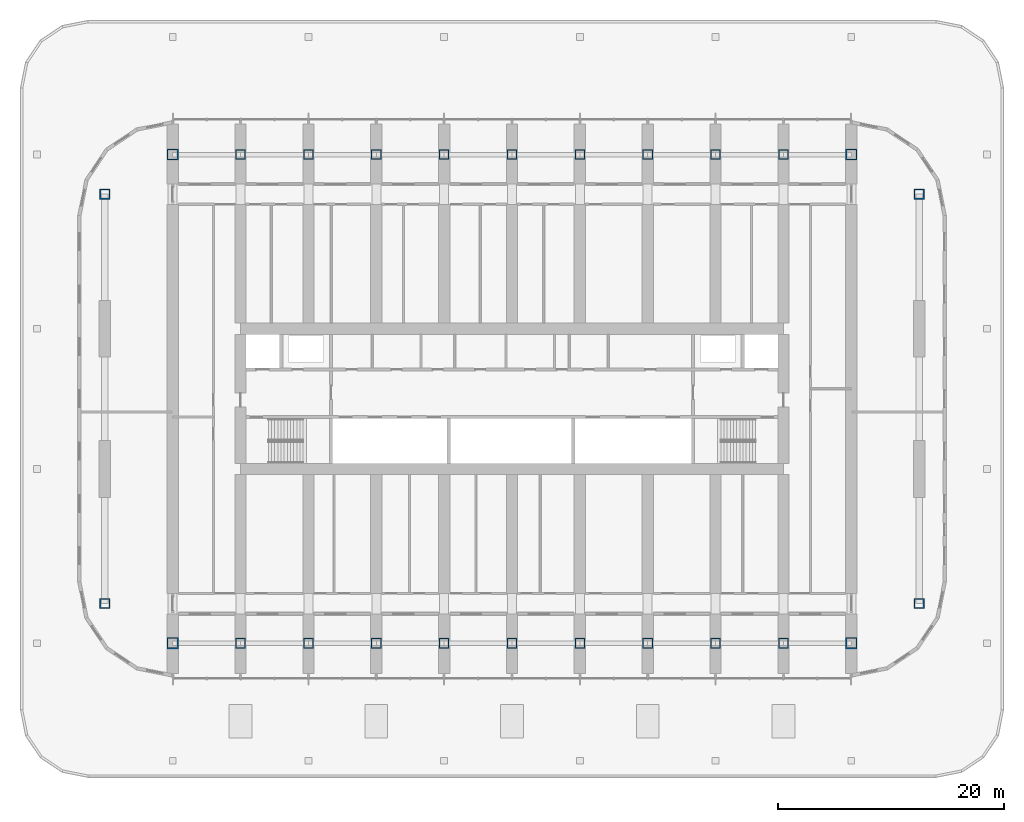
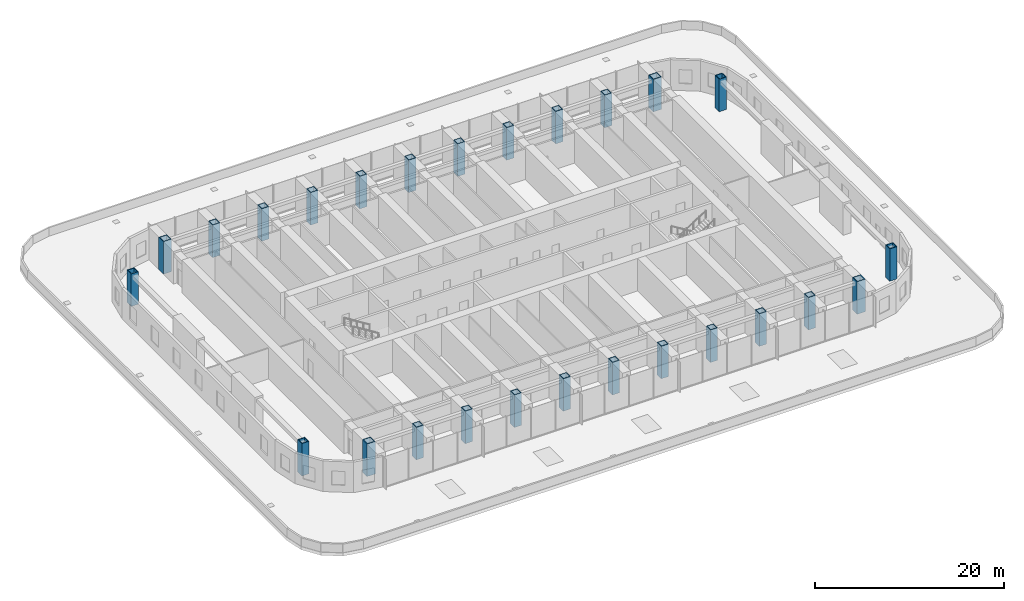
# One storey, part 1 of 23: 26 columns.
"""IFC4 building model written with IfcOpenShell, lengths in metres."""

from ifc_helpers import new_model, si_unit, direction, frame, origin, origin_2d, place, context, subcontext, project, spatial, hollow_rectangle, extrude, material, material_profile, profile_set, type_object, element, save


model = new_model("IFC4")

# Units and contexts
model_context = context("Model", 3, precision=1e-05, world=origin(), true_north=direction((0.0, 1.0)))
body_context = subcontext(model_context, "Body", "Model", "MODEL_VIEW")
ifc_project = project(units=[si_unit("LENGTHUNIT", "METRE"), si_unit("AREAUNIT", "SQUARE_METRE"), si_unit("VOLUMEUNIT", "CUBIC_METRE"), si_unit("PLANEANGLEUNIT", "RADIAN"), si_unit("MASSUNIT", "GRAM", prefix="KILO")], contexts=[model_context])

# Site, building, storey
site_placement = place(None, origin())
site = spatial("IfcSite", under=ifc_project, at=site_placement, CompositionType="ELEMENT")
building_placement = place(site_placement, origin())
building = spatial("IfcBuilding", under=site, at=building_placement, Name="Orbita Commons", CompositionType="ELEMENT")
storey_placement = place(building_placement, frame((0.0, 0.0, 16.0)))
storey = spatial("IfcBuildingStorey", under=building, at=storey_placement, Name="L03", CompositionType="ELEMENT", Elevation=16.0)

# Columns
ifc_material_1 = material(Name="Steel ASTM A572 Gr 50 welded plate", Category="steel")
ifc_material_profile_1 = material_profile(ifc_material_1, hollow_rectangle(XDim=1.0, YDim=1.0, WallThickness=0.10009765625, at=origin_2d()), Name="BOX 1000x1000x100")
ifc_profile_set_1 = profile_set([ifc_material_profile_1], Name="Steel ASTM A572 Gr 50 welded plate")
column_type_1 = type_object("IfcColumnType", Name="Steel column BOX 1000x1000x100", PredefinedType="COLUMN", material=ifc_profile_set_1)
for number, where, z_axis, x_axis, name in (
    (1, (12.0, 10.39990234375, 0.0), (0.0, 0.0, 1.0), (1.0, 0.0, 0.0), "Column 3/B L03"),
    (2, (12.0, 53.60009765625, 0.0), (0.0, 0.0, 1.0), (1.0, 0.0, 0.0), "Column 3/E L03"),
    (3, (72.0, 10.39990234375, 0.0), (0.0, 0.0, 1.0), (1.0, 0.0, 0.0), "Column 13/B L03"),
    (4, (72.0, 53.60009765625, 0.0), (0.0, 0.0, 1.0), (1.0, 0.0, 0.0), "Column 13/E L03"),
):
    element("IfcColumn", number, at=place(storey_placement, frame(where, z_axis=z_axis, x_axis=x_axis)), inside=storey, type_object=column_type_1, Name=name, PredefinedType="COLUMN", context=body_context, shape_type="SweptSolid", body=[
        extrude(hollow_rectangle(XDim=1.0, YDim=1.0, WallThickness=0.10009765625, at=origin_2d()), origin(), (0.0, 0.0, 1.0), 4.199951171875),
    ])
ifc_material_2 = material(Name="Steel ASTM A572 Gr 50 welded plate", Category="steel")
ifc_material_profile_2 = material_profile(ifc_material_2, hollow_rectangle(XDim=0.89990234375, YDim=0.89990234375, WallThickness=0.090087890625, at=origin_2d()), Name="BOX 900x900x90")
ifc_profile_set_2 = profile_set([ifc_material_profile_2], Name="Steel ASTM A572 Gr 50 welded plate")
column_type_2 = type_object("IfcColumnType", Name="Steel column BOX 900x900x90", PredefinedType="COLUMN", material=ifc_profile_set_2)
for number, where, z_axis, x_axis, name in (
    (5, (18.0, 10.39990234375, 0.0), (0.0, 0.0, 1.0), (1.0, 0.0, 0.0), "Column 4/B L03"),
    (6, (18.0, 53.60009765625, 0.0), (0.0, 0.0, 1.0), (1.0, 0.0, 0.0), "Column 4/E L03"),
    (7, (24.0, 10.39990234375, 0.0), (0.0, 0.0, 1.0), (1.0, 0.0, 0.0), "Column 5/B L03"),
    (8, (24.0, 53.60009765625, 0.0), (0.0, 0.0, 1.0), (1.0, 0.0, 0.0), "Column 5/E L03"),
    (9, (30.0, 10.39990234375, 0.0), (0.0, 0.0, 1.0), (1.0, 0.0, 0.0), "Column 6/B L03"),
    (10, (30.0, 53.60009765625, 0.0), (0.0, 0.0, 1.0), (1.0, 0.0, 0.0), "Column 6/E L03"),
    (11, (36.0, 10.39990234375, 0.0), (0.0, 0.0, 1.0), (1.0, 0.0, 0.0), "Column 7/B L03"),
    (12, (36.0, 53.60009765625, 0.0), (0.0, 0.0, 1.0), (1.0, 0.0, 0.0), "Column 7/E L03"),
    (13, (42.0, 10.39990234375, 0.0), (0.0, 0.0, 1.0), (1.0, 0.0, 0.0), "Column 8/B L03"),
    (14, (42.0, 53.60009765625, 0.0), (0.0, 0.0, 1.0), (1.0, 0.0, 0.0), "Column 8/E L03"),
    (15, (48.0, 10.39990234375, 0.0), (0.0, 0.0, 1.0), (1.0, 0.0, 0.0), "Column 9/B L03"),
    (16, (48.0, 53.60009765625, 0.0), (0.0, 0.0, 1.0), (1.0, 0.0, 0.0), "Column 9/E L03"),
    (17, (54.0, 10.39990234375, 0.0), (0.0, 0.0, 1.0), (1.0, 0.0, 0.0), "Column 10/B L03"),
    (18, (54.0, 53.60009765625, 0.0), (0.0, 0.0, 1.0), (1.0, 0.0, 0.0), "Column 10/E L03"),
    (19, (60.0, 10.39990234375, 0.0), (0.0, 0.0, 1.0), (1.0, 0.0, 0.0), "Column 11/B L03"),
    (20, (60.0, 53.60009765625, 0.0), (0.0, 0.0, 1.0), (1.0, 0.0, 0.0), "Column 11/E L03"),
    (21, (66.0, 10.39990234375, 0.0), (0.0, 0.0, 1.0), (1.0, 0.0, 0.0), "Column 12/B L03"),
    (22, (66.0, 53.60009765625, 0.0), (0.0, 0.0, 1.0), (1.0, 0.0, 0.0), "Column 12/E L03"),
    (23, (6.0, 13.89990234375, 0.0), (0.0, 0.0, 1.0), (1.0, 0.0, 0.0), "Column 2/13.9 L03"),
    (24, (6.0, 50.10009765625, 0.0), (0.0, 0.0, 1.0), (1.0, 0.0, 0.0), "Column 2/50.1 L03"),
    (25, (78.0, 13.89990234375, 0.0), (0.0, 0.0, 1.0), (1.0, 0.0, 0.0), "Column 14/13.9 L03"),
    (26, (78.0, 50.10009765625, 0.0), (0.0, 0.0, 1.0), (1.0, 0.0, 0.0), "Column 14/50.1 L03"),
):
    element("IfcColumn", number, at=place(storey_placement, frame(where, z_axis=z_axis, x_axis=x_axis)), inside=storey, type_object=column_type_2, Name=name, PredefinedType="COLUMN", context=body_context, shape_type="SweptSolid", body=[
        extrude(hollow_rectangle(XDim=0.89990234375, YDim=0.89990234375, WallThickness=0.090087890625, at=origin_2d()), origin(), (0.0, 0.0, 1.0), 4.199951171875),
    ])

save(model, "model.ifc")
